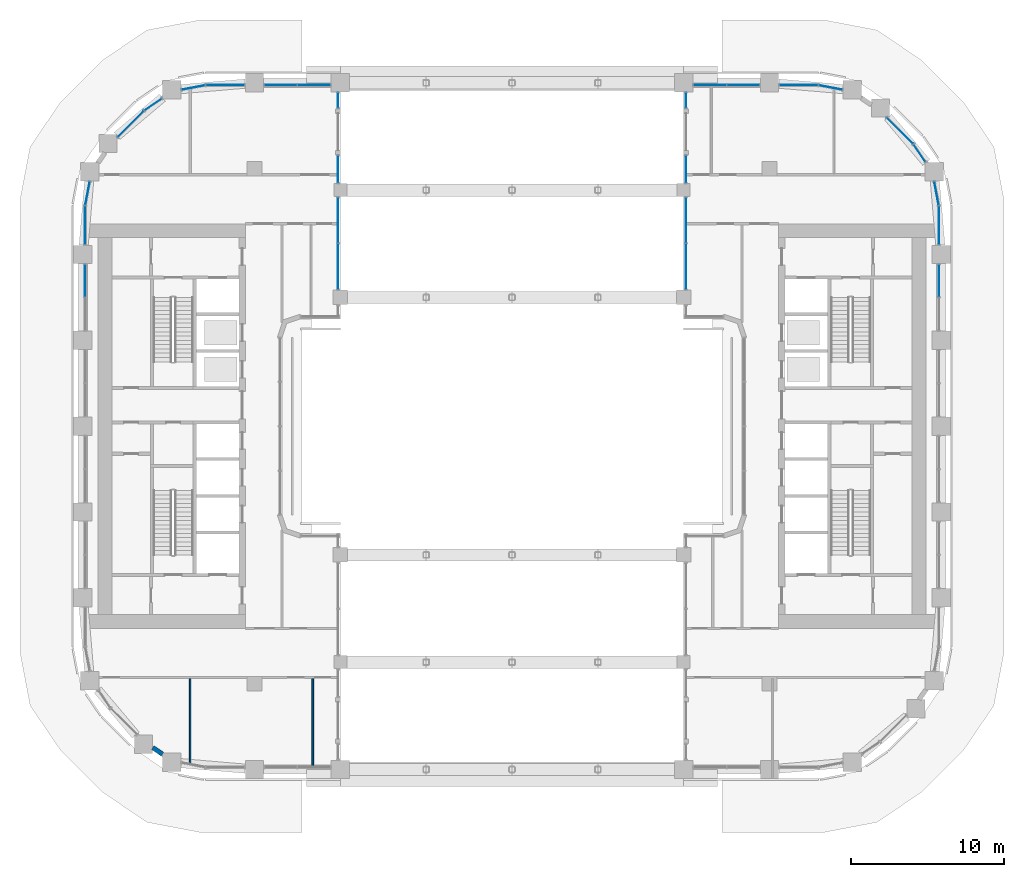
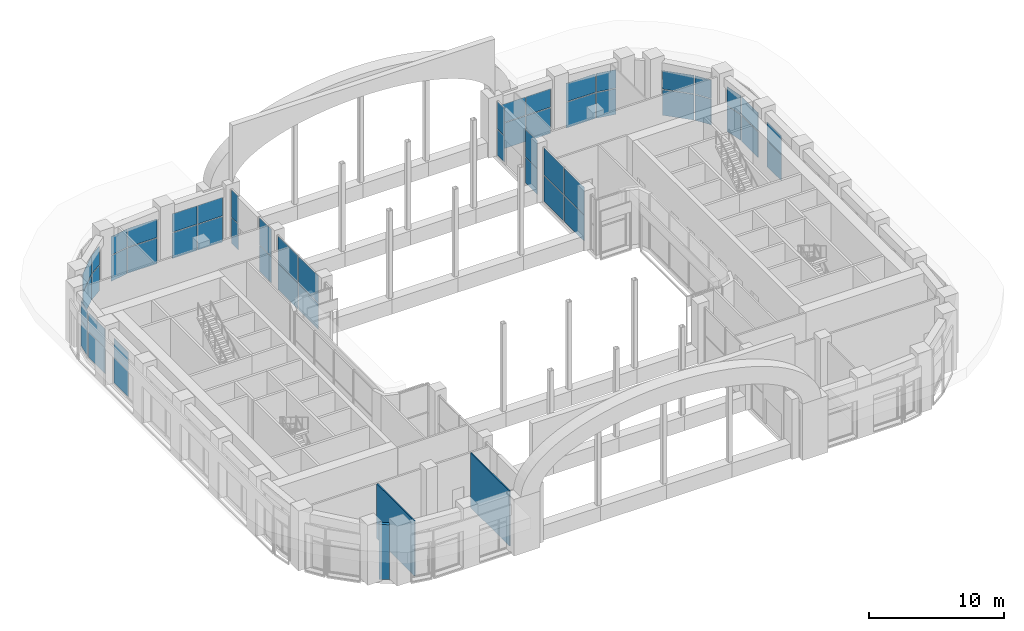
# One storey, part 14 of 28: 52 plates, 3 walls, 22 elements without a shape of their own.
"""IFC4 building model written with IfcOpenShell, lengths in metres."""

from ifc_helpers import new_model, si_unit, direction, frame, frame_2d, origin, origin_2d, place, context, subcontext, project, spatial, rectangle, extrude, material, layer, layer_set, type_object, element, aggregate, save


model = new_model("IFC4")

# Units and contexts
model_context = context("Model", 3, precision=1e-05, world=origin(), true_north=direction((0.0, 1.0)))
body_context = subcontext(model_context, "Body", "Model", "MODEL_VIEW")
ifc_project = project(units=[si_unit("LENGTHUNIT", "METRE"), si_unit("AREAUNIT", "SQUARE_METRE"), si_unit("VOLUMEUNIT", "CUBIC_METRE"), si_unit("PLANEANGLEUNIT", "RADIAN"), si_unit("MASSUNIT", "GRAM", prefix="KILO")], contexts=[model_context])

# Site, building, storey
site_placement = place(None, origin())
site = spatial("IfcSite", under=ifc_project, at=site_placement, CompositionType="ELEMENT")
building_placement = place(site_placement, origin())
building = spatial("IfcBuilding", under=site, at=building_placement, Name="Kiln Ring Residences", CompositionType="ELEMENT")
storey_placement = place(building_placement, frame((0.0, 0.0, 125.300048828125)))
storey = spatial("IfcBuildingStorey", under=building, at=storey_placement, Name="L32", CompositionType="ELEMENT", Elevation=125.300048828125)

# Curtain wall, plates
ifc_material_1 = material(Name="Aluminium and glass", Category="aluminium")
ifc_layer_1 = layer(ifc_material_1, 0.199951171875)
ifc_layer_set_1 = layer_set([ifc_layer_1], Name="CW1 CURTAIN WALL")
curtain_wall_type = type_object("IfcCurtainWallType", Name="CW1 CURTAIN WALL", PredefinedType="NOTDEFINED", material=ifc_layer_set_1)
placement = place(storey_placement, origin())
curtain_wall_1 = element("IfcCurtainWall", 1, at=placement, inside=storey, type_object=curtain_wall_type, Name="Curtain wall CW1 L32", PredefinedType="NOTDEFINED")
ifc_material_2 = material(Name="Glass, low-e laminated", Category="glass")
ifc_layer_2 = layer(ifc_material_2, 0.028076171875)
ifc_layer_set_2 = layer_set([ifc_layer_2], Name="CW1 PANEL 28")
plate_type = type_object("IfcPlateType", Name="CW1 PANEL 28", PredefinedType="CURTAIN_PANEL", material=ifc_layer_set_2)
plate_1_placement = place(storey_placement, frame((-11.35009765625, 10.4150390625, 0.059814453125), z_axis=(0.0, 0.0, 1.0), x_axis=(0.0, 1.0, 0.0)))
plate_1 = element("IfcPlate", 2, at=plate_1_placement, type_object=plate_type, Name="CW1 panel 1.1", PredefinedType="CURTAIN_PANEL", context=body_context, shape_type="SweptSolid", body=[
    extrude(rectangle(XDim=2.9599609375, YDim=0.028076171875, at=origin_2d()), origin(), (0.0, 0.0, 1.0), 2.31005859375),
])
plate_2_placement = place(storey_placement, frame((-11.35009765625, 10.4150390625, 2.429931640625), z_axis=(0.0, 0.0, 1.0), x_axis=(0.0, 1.0, 0.0)))
plate_2 = element("IfcPlate", 3, at=plate_2_placement, type_object=plate_type, Name="CW1 panel 1.2", PredefinedType="CURTAIN_PANEL", context=body_context, shape_type="SweptSolid", body=[
    extrude(rectangle(XDim=2.9599609375, YDim=0.028076171875, at=origin_2d()), origin(), (0.0, 0.0, 1.0), 2.4599609375),
])
plate_3_placement = place(storey_placement, frame((-11.35009765625, 13.43505859375, 0.059814453125), z_axis=(0.0, 0.0, 1.0), x_axis=(0.0, 1.0, 0.0)))
plate_3 = element("IfcPlate", 4, at=plate_3_placement, type_object=plate_type, Name="CW1 panel 2.1", PredefinedType="CURTAIN_PANEL", context=body_context, shape_type="SweptSolid", body=[
    extrude(rectangle(XDim=2.9599609375, YDim=0.028076171875, at=origin_2d()), origin(), (0.0, 0.0, 1.0), 2.31005859375),
])
plate_4_placement = place(storey_placement, frame((-11.35009765625, 13.43505859375, 2.429931640625), z_axis=(0.0, 0.0, 1.0), x_axis=(0.0, 1.0, 0.0)))
plate_4 = element("IfcPlate", 5, at=plate_4_placement, type_object=plate_type, Name="CW1 panel 2.2", PredefinedType="CURTAIN_PANEL", context=body_context, shape_type="SweptSolid", body=[
    extrude(rectangle(XDim=2.9599609375, YDim=0.028076171875, at=origin_2d()), origin(), (0.0, 0.0, 1.0), 2.4599609375),
])
aggregate(curtain_wall_1, [plate_1, plate_2, plate_3, plate_4])

curtain_wall_2 = element("IfcCurtainWall", 6, at=placement, inside=storey, type_object=curtain_wall_type, Name="Curtain wall CW1 L32", PredefinedType="NOTDEFINED")
plate_5_placement = place(storey_placement, frame((-11.35009765625, 16.762451171875, 0.059814453125), z_axis=(0.0, 0.0, 1.0), x_axis=(0.0, 1.0, 0.0)))
plate_5 = element("IfcPlate", 7, at=plate_5_placement, type_object=plate_type, Name="CW1 panel 1.1", PredefinedType="CURTAIN_PANEL", context=body_context, shape_type="SweptSolid", body=[
    extrude(rectangle(XDim=1.7548828125, YDim=0.028076171875, at=origin_2d()), origin(), (0.0, 0.0, 1.0), 2.31005859375),
])
plate_6_placement = place(storey_placement, frame((-11.35009765625, 16.762451171875, 2.429931640625), z_axis=(0.0, 0.0, 1.0), x_axis=(0.0, 1.0, 0.0)))
plate_6 = element("IfcPlate", 8, at=plate_6_placement, type_object=plate_type, Name="CW1 panel 1.2", PredefinedType="CURTAIN_PANEL", context=body_context, shape_type="SweptSolid", body=[
    extrude(rectangle(XDim=1.7548828125, YDim=0.028076171875, at=origin_2d()), origin(), (0.0, 0.0, 1.0), 2.4599609375),
])
aggregate(curtain_wall_2, [plate_5, plate_6])

curtain_wall_3 = element("IfcCurtainWall", 9, at=placement, inside=storey, type_object=curtain_wall_type, Name="Curtain wall CW1 L32", PredefinedType="NOTDEFINED")
plate_7_placement = place(storey_placement, frame((-11.35009765625, 21.25, 0.059814453125), z_axis=(0.0, 0.0, 1.0), x_axis=(0.0, 1.0, 0.0)))
plate_7 = element("IfcPlate", 10, at=plate_7_placement, type_object=plate_type, Name="CW1 panel 1.1", PredefinedType="CURTAIN_PANEL", context=body_context, shape_type="SweptSolid", body=[
    extrude(rectangle(XDim=0.97998046875, YDim=0.028076171875, at=origin_2d()), origin(), (0.0, 0.0, 1.0), 2.31005859375),
])
plate_8_placement = place(storey_placement, frame((-11.35009765625, 21.25, 2.429931640625), z_axis=(0.0, 0.0, 1.0), x_axis=(0.0, 1.0, 0.0)))
plate_8 = element("IfcPlate", 11, at=plate_8_placement, type_object=plate_type, Name="CW1 panel 1.2", PredefinedType="CURTAIN_PANEL", context=body_context, shape_type="SweptSolid", body=[
    extrude(rectangle(XDim=0.97998046875, YDim=0.028076171875, at=origin_2d()), origin(), (0.0, 0.0, 1.0), 2.4599609375),
])
aggregate(curtain_wall_3, [plate_7, plate_8])

curtain_wall_4 = element("IfcCurtainWall", 12, at=placement, inside=storey, type_object=curtain_wall_type, Name="Curtain wall CW1 L32", PredefinedType="NOTDEFINED")
plate_9_placement = place(storey_placement, frame((-12.9150390625, 22.25, 0.059814453125), z_axis=(0.0, 0.0, 1.0), x_axis=(-1.0, 0.0, 0.0)))
plate_9 = element("IfcPlate", 13, at=plate_9_placement, type_object=plate_type, Name="CW1 panel 1.1", PredefinedType="CURTAIN_PANEL", context=body_context, shape_type="SweptSolid", body=[
    extrude(rectangle(XDim=2.110107421875, YDim=0.028076171875, at=origin_2d()), origin(), (0.0, 0.0, 1.0), 2.31005859375),
])
plate_10_placement = place(storey_placement, frame((-12.9150390625, 22.25, 2.43017578125), z_axis=(0.0, 0.0, 1.0), x_axis=(-1.0, 0.0, 0.0)))
plate_10 = element("IfcPlate", 14, at=plate_10_placement, type_object=plate_type, Name="CW1 panel 1.2", PredefinedType="CURTAIN_PANEL", context=body_context, shape_type="SweptSolid", body=[
    extrude(rectangle(XDim=2.110107421875, YDim=0.028076171875, at=origin_2d()), origin(), (0.0, 0.0, 1.0), 1.659912109375),
])
plate_11_placement = place(storey_placement, frame((-15.0849609375, 22.25, 0.059814453125), z_axis=(0.0, 0.0, 1.0), x_axis=(-1.0, 0.0, 0.0)))
plate_11 = element("IfcPlate", 15, at=plate_11_placement, type_object=plate_type, Name="CW1 panel 2.1", PredefinedType="CURTAIN_PANEL", context=body_context, shape_type="SweptSolid", body=[
    extrude(rectangle(XDim=2.110107421875, YDim=0.028076171875, at=origin_2d()), origin(), (0.0, 0.0, 1.0), 2.31005859375),
])
plate_12_placement = place(storey_placement, frame((-15.0849609375, 22.25, 2.43017578125), z_axis=(0.0, 0.0, 1.0), x_axis=(-1.0, 0.0, 0.0)))
plate_12 = element("IfcPlate", 16, at=plate_12_placement, type_object=plate_type, Name="CW1 panel 2.2", PredefinedType="CURTAIN_PANEL", context=body_context, shape_type="SweptSolid", body=[
    extrude(rectangle(XDim=2.110107421875, YDim=0.028076171875, at=origin_2d()), origin(), (0.0, 0.0, 1.0), 1.659912109375),
])
aggregate(curtain_wall_4, [plate_9, plate_10, plate_11, plate_12])

curtain_wall_5 = element("IfcCurtainWall", 17, at=placement, inside=storey, type_object=curtain_wall_type, Name="Curtain wall CW1 L32", PredefinedType="NOTDEFINED")
plate_13_placement = place(storey_placement, frame((-18.699951171875, 22.25, 0.059814453125), z_axis=(0.0, 0.0, 1.0), x_axis=(-1.0, 0.0, 0.0)))
plate_13 = element("IfcPlate", 18, at=plate_13_placement, type_object=plate_type, Name="CW1 panel 1.1", PredefinedType="CURTAIN_PANEL", context=body_context, shape_type="SweptSolid", body=[
    extrude(rectangle(XDim=2.47998046875, YDim=0.028076171875, at=origin_2d()), origin(), (0.0, 0.0, 1.0), 2.31005859375),
])
plate_14_placement = place(storey_placement, frame((-18.699951171875, 22.25, 2.43017578125), z_axis=(0.0, 0.0, 1.0), x_axis=(-1.0, 0.0, 0.0)))
plate_14 = element("IfcPlate", 19, at=plate_14_placement, type_object=plate_type, Name="CW1 panel 1.2", PredefinedType="CURTAIN_PANEL", context=body_context, shape_type="SweptSolid", body=[
    extrude(rectangle(XDim=2.47998046875, YDim=0.028076171875, at=origin_2d()), origin(), (0.0, 0.0, 1.0), 1.659912109375),
])
aggregate(curtain_wall_5, [plate_13, plate_14])

curtain_wall_6 = element("IfcCurtainWall", 20, at=placement, inside=storey, type_object=curtain_wall_type, Name="Curtain wall CW1 L32", PredefinedType="NOTDEFINED")
plate_15_placement = place(storey_placement, frame((-20.785400390625, 22.097412109375, 0.059814453125), z_axis=(0.0, 0.0, 1.0), x_axis=(-0.982290257803, -0.187365550262, 0.0)))
plate_15 = element("IfcPlate", 21, at=plate_15_placement, type_object=plate_type, Name="CW1 panel 1.1", PredefinedType="CURTAIN_PANEL", context=body_context, shape_type="SweptSolid", body=[
    extrude(rectangle(XDim=1.5361328125, YDim=0.028076171875, at=origin_2d()), origin(), (0.0, 0.0, 1.0), 2.31005859375),
])
plate_16_placement = place(storey_placement, frame((-20.785400390625, 22.097412109375, 2.43017578125), z_axis=(0.0, 0.0, 1.0), x_axis=(-0.982290257803, -0.187365550262, 0.0)))
plate_16 = element("IfcPlate", 22, at=plate_16_placement, type_object=plate_type, Name="CW1 panel 1.2", PredefinedType="CURTAIN_PANEL", context=body_context, shape_type="SweptSolid", body=[
    extrude(rectangle(XDim=1.5361328125, YDim=0.028076171875, at=origin_2d()), origin(), (0.0, 0.0, 1.0), 1.659912109375),
])
aggregate(curtain_wall_6, [plate_15, plate_16])

curtain_wall_7 = element("IfcCurtainWall", 23, at=placement, inside=storey, type_object=curtain_wall_type, Name="Curtain wall CW1 L32", PredefinedType="NOTDEFINED")
plate_17_placement = place(storey_placement, frame((-23.41064453125, 20.988037109375, 0.059814453125), z_axis=(0.0, 0.0, 1.0), x_axis=(-0.827071553419, -0.562096651409, 0.0)))
plate_17 = element("IfcPlate", 24, at=plate_17_placement, type_object=plate_type, Name="CW1 panel 1.1", PredefinedType="CURTAIN_PANEL", context=body_context, shape_type="SweptSolid", body=[
    extrude(rectangle(XDim=1.335693359375, YDim=0.028076171875, at=origin_2d()), origin(), (0.0, 0.0, 1.0), 2.31005859375),
])
plate_18_placement = place(storey_placement, frame((-23.41064453125, 20.988037109375, 2.43017578125), z_axis=(0.0, 0.0, 1.0), x_axis=(-0.827071553419, -0.562096651409, 0.0)))
plate_18 = element("IfcPlate", 25, at=plate_18_placement, type_object=plate_type, Name="CW1 panel 1.2", PredefinedType="CURTAIN_PANEL", context=body_context, shape_type="SweptSolid", body=[
    extrude(rectangle(XDim=1.335693359375, YDim=0.028076171875, at=origin_2d()), origin(), (0.0, 0.0, 1.0), 1.659912109375),
])
aggregate(curtain_wall_7, [plate_17, plate_18])

curtain_wall_8 = element("IfcCurtainWall", 26, at=placement, inside=storey, type_object=curtain_wall_type, Name="Curtain wall CW1 L32", PredefinedType="NOTDEFINED")
plate_19_placement = place(storey_placement, frame((-24.87548828125, 19.71240234375, 0.059814453125), z_axis=(0.0, 0.0, 1.0), x_axis=(-0.707106781187, -0.707106781187, 0.0)))
plate_19 = element("IfcPlate", 27, at=plate_19_placement, type_object=plate_type, Name="CW1 panel 1.1", PredefinedType="CURTAIN_PANEL", context=body_context, shape_type="SweptSolid", body=[
    extrude(rectangle(XDim=2.381591796875, YDim=0.028076171875, at=origin_2d()), origin(), (0.0, 0.0, 1.0), 2.31005859375),
])
plate_20_placement = place(storey_placement, frame((-24.87548828125, 19.71240234375, 2.43017578125), z_axis=(0.0, 0.0, 1.0), x_axis=(-0.707106781187, -0.707106781187, 0.0)))
plate_20 = element("IfcPlate", 28, at=plate_20_placement, type_object=plate_type, Name="CW1 panel 1.2", PredefinedType="CURTAIN_PANEL", context=body_context, shape_type="SweptSolid", body=[
    extrude(rectangle(XDim=2.381591796875, YDim=0.028076171875, at=origin_2d()), origin(), (0.0, 0.0, 1.0), 1.659912109375),
])
aggregate(curtain_wall_8, [plate_19, plate_20])

curtain_wall_9 = element("IfcCurtainWall", 29, at=placement, inside=storey, type_object=curtain_wall_type, Name="Curtain wall CW1 L32", PredefinedType="NOTDEFINED")
plate_21_placement = place(storey_placement, frame((-27.697509765625, 15.185302734375, 0.059814453125), z_axis=(0.0, 0.0, 1.0), x_axis=(-0.187365550262, -0.982290257803, 0.0)))
plate_21 = element("IfcPlate", 30, at=plate_21_placement, type_object=plate_type, Name="CW1 panel 1.1", PredefinedType="CURTAIN_PANEL", context=body_context, shape_type="SweptSolid", body=[
    extrude(rectangle(XDim=1.5361328125, YDim=0.028076171875, at=origin_2d()), origin(), (0.0, 0.0, 1.0), 2.31005859375),
])
plate_22_placement = place(storey_placement, frame((-27.697509765625, 15.185302734375, 2.43017578125), z_axis=(0.0, 0.0, 1.0), x_axis=(-0.187365550262, -0.982290257803, 0.0)))
plate_22 = element("IfcPlate", 31, at=plate_22_placement, type_object=plate_type, Name="CW1 panel 1.2", PredefinedType="CURTAIN_PANEL", context=body_context, shape_type="SweptSolid", body=[
    extrude(rectangle(XDim=1.5361328125, YDim=0.028076171875, at=origin_2d()), origin(), (0.0, 0.0, 1.0), 1.659912109375),
])
aggregate(curtain_wall_9, [plate_21, plate_22])

curtain_wall_10 = element("IfcCurtainWall", 32, at=placement, inside=storey, type_object=curtain_wall_type, Name="Curtain wall CW1 L32", PredefinedType="NOTDEFINED")
plate_23_placement = place(storey_placement, frame((-27.85009765625, 13.10009765625, 0.059814453125), z_axis=(0.0, 0.0, 1.0), x_axis=(0.0, -1.0, 0.0)))
plate_23 = element("IfcPlate", 33, at=plate_23_placement, type_object=plate_type, Name="CW1 panel 1.1", PredefinedType="CURTAIN_PANEL", context=body_context, shape_type="SweptSolid", body=[
    extrude(rectangle(XDim=2.47998046875, YDim=0.028076171875, at=origin_2d()), origin(), (0.0, 0.0, 1.0), 2.31005859375),
])
plate_24_placement = place(storey_placement, frame((-27.85009765625, 13.10009765625, 2.43017578125), z_axis=(0.0, 0.0, 1.0), x_axis=(0.0, -1.0, 0.0)))
plate_24 = element("IfcPlate", 34, at=plate_24_placement, type_object=plate_type, Name="CW1 panel 1.2", PredefinedType="CURTAIN_PANEL", context=body_context, shape_type="SweptSolid", body=[
    extrude(rectangle(XDim=2.47998046875, YDim=0.028076171875, at=origin_2d()), origin(), (0.0, 0.0, 1.0), 1.659912109375),
])
aggregate(curtain_wall_10, [plate_23, plate_24])

curtain_wall_11 = element("IfcCurtainWall", 35, at=placement, inside=storey, type_object=curtain_wall_type, Name="Curtain wall CW1 L32", PredefinedType="NOTDEFINED")
plate_25_placement = place(storey_placement, frame((-27.85009765625, 9.485107421875, 0.059814453125), z_axis=(0.0, 0.0, 1.0), x_axis=(0.0, -1.0, 0.0)))
plate_25 = element("IfcPlate", 36, at=plate_25_placement, type_object=plate_type, Name="CW1 panel 1.1", PredefinedType="CURTAIN_PANEL", context=body_context, shape_type="SweptSolid", body=[
    extrude(rectangle(XDim=2.110107421875, YDim=0.028076171875, at=origin_2d()), origin(), (0.0, 0.0, 1.0), 2.31005859375),
])
plate_26_placement = place(storey_placement, frame((-27.85009765625, 9.485107421875, 2.43017578125), z_axis=(0.0, 0.0, 1.0), x_axis=(0.0, -1.0, 0.0)))
plate_26 = element("IfcPlate", 37, at=plate_26_placement, type_object=plate_type, Name="CW1 panel 1.2", PredefinedType="CURTAIN_PANEL", context=body_context, shape_type="SweptSolid", body=[
    extrude(rectangle(XDim=2.110107421875, YDim=0.028076171875, at=origin_2d()), origin(), (0.0, 0.0, 1.0), 1.659912109375),
])
aggregate(curtain_wall_11, [plate_25, plate_26])

curtain_wall_12 = element("IfcCurtainWall", 38, at=placement, inside=storey, type_object=curtain_wall_type, Name="Curtain wall CW1 L32", PredefinedType="NOTDEFINED")
plate_27_placement = place(storey_placement, frame((27.85009765625, 9.485107421875, 0.059814453125), z_axis=(0.0, 0.0, 1.0), x_axis=(0.0, 1.0, 0.0)))
plate_27 = element("IfcPlate", 39, at=plate_27_placement, type_object=plate_type, Name="CW1 panel 2.1", PredefinedType="CURTAIN_PANEL", context=body_context, shape_type="SweptSolid", body=[
    extrude(rectangle(XDim=2.110107421875, YDim=0.028076171875, at=origin_2d()), origin(), (0.0, 0.0, 1.0), 2.31005859375),
])
plate_28_placement = place(storey_placement, frame((27.85009765625, 9.485107421875, 2.43017578125), z_axis=(0.0, 0.0, 1.0), x_axis=(0.0, 1.0, 0.0)))
plate_28 = element("IfcPlate", 40, at=plate_28_placement, type_object=plate_type, Name="CW1 panel 2.2", PredefinedType="CURTAIN_PANEL", context=body_context, shape_type="SweptSolid", body=[
    extrude(rectangle(XDim=2.110107421875, YDim=0.028076171875, at=origin_2d()), origin(), (0.0, 0.0, 1.0), 1.659912109375),
])
aggregate(curtain_wall_12, [plate_27, plate_28])

curtain_wall_13 = element("IfcCurtainWall", 41, at=placement, inside=storey, type_object=curtain_wall_type, Name="Curtain wall CW1 L32", PredefinedType="NOTDEFINED")
plate_29_placement = place(storey_placement, frame((27.85009765625, 13.10009765625, 0.059814453125), z_axis=(0.0, 0.0, 1.0), x_axis=(0.0, 1.0, 0.0)))
plate_29 = element("IfcPlate", 42, at=plate_29_placement, type_object=plate_type, Name="CW1 panel 1.1", PredefinedType="CURTAIN_PANEL", context=body_context, shape_type="SweptSolid", body=[
    extrude(rectangle(XDim=2.47998046875, YDim=0.028076171875, at=origin_2d()), origin(), (0.0, 0.0, 1.0), 2.31005859375),
])
plate_30_placement = place(storey_placement, frame((27.85009765625, 13.10009765625, 2.43017578125), z_axis=(0.0, 0.0, 1.0), x_axis=(0.0, 1.0, 0.0)))
plate_30 = element("IfcPlate", 43, at=plate_30_placement, type_object=plate_type, Name="CW1 panel 1.2", PredefinedType="CURTAIN_PANEL", context=body_context, shape_type="SweptSolid", body=[
    extrude(rectangle(XDim=2.47998046875, YDim=0.028076171875, at=origin_2d()), origin(), (0.0, 0.0, 1.0), 1.659912109375),
])
aggregate(curtain_wall_13, [plate_29, plate_30])

curtain_wall_14 = element("IfcCurtainWall", 44, at=placement, inside=storey, type_object=curtain_wall_type, Name="Curtain wall CW1 L32", PredefinedType="NOTDEFINED")
plate_31_placement = place(storey_placement, frame((27.697509765625, 15.185302734375, 0.059814453125), z_axis=(0.0, 0.0, 1.0), x_axis=(-0.187365550262, 0.982290257803, 0.0)))
plate_31 = element("IfcPlate", 45, at=plate_31_placement, type_object=plate_type, Name="CW1 panel 1.1", PredefinedType="CURTAIN_PANEL", context=body_context, shape_type="SweptSolid", body=[
    extrude(rectangle(XDim=1.5361328125, YDim=0.028076171875, at=origin_2d()), origin(), (0.0, 0.0, 1.0), 2.31005859375),
])
plate_32_placement = place(storey_placement, frame((27.697509765625, 15.185302734375, 2.43017578125), z_axis=(0.0, 0.0, 1.0), x_axis=(-0.187365550262, 0.982290257803, 0.0)))
plate_32 = element("IfcPlate", 46, at=plate_32_placement, type_object=plate_type, Name="CW1 panel 1.2", PredefinedType="CURTAIN_PANEL", context=body_context, shape_type="SweptSolid", body=[
    extrude(rectangle(XDim=1.5361328125, YDim=0.028076171875, at=origin_2d()), origin(), (0.0, 0.0, 1.0), 1.659912109375),
])
aggregate(curtain_wall_14, [plate_31, plate_32])

curtain_wall_15 = element("IfcCurtainWall", 47, at=placement, inside=storey, type_object=curtain_wall_type, Name="Curtain wall CW1 L32", PredefinedType="NOTDEFINED")
plate_33_placement = place(storey_placement, frame((26.588134765625, 17.810791015625, 0.059814453125), z_axis=(0.0, 0.0, 1.0), x_axis=(-0.562096651409, 0.827071553419, 0.0)))
plate_33 = element("IfcPlate", 48, at=plate_33_placement, type_object=plate_type, Name="CW1 panel 1.1", PredefinedType="CURTAIN_PANEL", context=body_context, shape_type="SweptSolid", body=[
    extrude(rectangle(XDim=1.335693359375, YDim=0.028076171875, at=origin_2d()), origin(), (0.0, 0.0, 1.0), 2.31005859375),
])
plate_34_placement = place(storey_placement, frame((26.588134765625, 17.810791015625, 2.43017578125), z_axis=(0.0, 0.0, 1.0), x_axis=(-0.562096651409, 0.827071553419, 0.0)))
plate_34 = element("IfcPlate", 49, at=plate_34_placement, type_object=plate_type, Name="CW1 panel 1.2", PredefinedType="CURTAIN_PANEL", context=body_context, shape_type="SweptSolid", body=[
    extrude(rectangle(XDim=1.335693359375, YDim=0.028076171875, at=origin_2d()), origin(), (0.0, 0.0, 1.0), 1.659912109375),
])
aggregate(curtain_wall_15, [plate_33, plate_34])

curtain_wall_16 = element("IfcCurtainWall", 50, at=placement, inside=storey, type_object=curtain_wall_type, Name="Curtain wall CW1 L32", PredefinedType="NOTDEFINED")
plate_35_placement = place(storey_placement, frame((25.3125, 19.275390625, 0.059814453125), z_axis=(0.0, 0.0, 1.0), x_axis=(-0.707106781187, 0.707106781187, 0.0)))
plate_35 = element("IfcPlate", 51, at=plate_35_placement, type_object=plate_type, Name="CW1 panel 1.1", PredefinedType="CURTAIN_PANEL", context=body_context, shape_type="SweptSolid", body=[
    extrude(rectangle(XDim=2.381591796875, YDim=0.028076171875, at=origin_2d()), origin(), (0.0, 0.0, 1.0), 2.31005859375),
])
plate_36_placement = place(storey_placement, frame((25.3125, 19.275390625, 2.43017578125), z_axis=(0.0, 0.0, 1.0), x_axis=(-0.707106781187, 0.707106781187, 0.0)))
plate_36 = element("IfcPlate", 52, at=plate_36_placement, type_object=plate_type, Name="CW1 panel 1.2", PredefinedType="CURTAIN_PANEL", context=body_context, shape_type="SweptSolid", body=[
    extrude(rectangle(XDim=2.381591796875, YDim=0.028076171875, at=origin_2d()), origin(), (0.0, 0.0, 1.0), 1.659912109375),
])
aggregate(curtain_wall_16, [plate_35, plate_36])

curtain_wall_17 = element("IfcCurtainWall", 53, at=placement, inside=storey, type_object=curtain_wall_type, Name="Curtain wall CW1 L32", PredefinedType="NOTDEFINED")
plate_37_placement = place(storey_placement, frame((20.785400390625, 22.097412109375, 0.059814453125), z_axis=(0.0, 0.0, 1.0), x_axis=(-0.982290257803, 0.187365550262, 0.0)))
plate_37 = element("IfcPlate", 54, at=plate_37_placement, type_object=plate_type, Name="CW1 panel 1.1", PredefinedType="CURTAIN_PANEL", context=body_context, shape_type="SweptSolid", body=[
    extrude(rectangle(XDim=1.5361328125, YDim=0.028076171875, at=origin_2d()), origin(), (0.0, 0.0, 1.0), 2.31005859375),
])
plate_38_placement = place(storey_placement, frame((20.785400390625, 22.097412109375, 2.43017578125), z_axis=(0.0, 0.0, 1.0), x_axis=(-0.982290257803, 0.187365550262, 0.0)))
plate_38 = element("IfcPlate", 55, at=plate_38_placement, type_object=plate_type, Name="CW1 panel 1.2", PredefinedType="CURTAIN_PANEL", context=body_context, shape_type="SweptSolid", body=[
    extrude(rectangle(XDim=1.5361328125, YDim=0.028076171875, at=origin_2d()), origin(), (0.0, 0.0, 1.0), 1.659912109375),
])
aggregate(curtain_wall_17, [plate_37, plate_38])

curtain_wall_18 = element("IfcCurtainWall", 56, at=placement, inside=storey, type_object=curtain_wall_type, Name="Curtain wall CW1 L32", PredefinedType="NOTDEFINED")
plate_39_placement = place(storey_placement, frame((18.699951171875, 22.25, 0.059814453125), z_axis=(0.0, 0.0, 1.0), x_axis=(-1.0, 0.0, 0.0)))
plate_39 = element("IfcPlate", 57, at=plate_39_placement, type_object=plate_type, Name="CW1 panel 1.1", PredefinedType="CURTAIN_PANEL", context=body_context, shape_type="SweptSolid", body=[
    extrude(rectangle(XDim=2.47998046875, YDim=0.028076171875, at=origin_2d()), origin(), (0.0, 0.0, 1.0), 2.31005859375),
])
plate_40_placement = place(storey_placement, frame((18.699951171875, 22.25, 2.43017578125), z_axis=(0.0, 0.0, 1.0), x_axis=(-1.0, 0.0, 0.0)))
plate_40 = element("IfcPlate", 58, at=plate_40_placement, type_object=plate_type, Name="CW1 panel 1.2", PredefinedType="CURTAIN_PANEL", context=body_context, shape_type="SweptSolid", body=[
    extrude(rectangle(XDim=2.47998046875, YDim=0.028076171875, at=origin_2d()), origin(), (0.0, 0.0, 1.0), 1.659912109375),
])
aggregate(curtain_wall_18, [plate_39, plate_40])

curtain_wall_19 = element("IfcCurtainWall", 59, at=placement, inside=storey, type_object=curtain_wall_type, Name="Curtain wall CW1 L32", PredefinedType="NOTDEFINED")
plate_41_placement = place(storey_placement, frame((15.0849609375, 22.25, 0.059814453125), z_axis=(0.0, 0.0, 1.0), x_axis=(-1.0, 0.0, 0.0)))
plate_41 = element("IfcPlate", 60, at=plate_41_placement, type_object=plate_type, Name="CW1 panel 1.1", PredefinedType="CURTAIN_PANEL", context=body_context, shape_type="SweptSolid", body=[
    extrude(rectangle(XDim=2.110107421875, YDim=0.028076171875, at=origin_2d()), origin(), (0.0, 0.0, 1.0), 2.31005859375),
])
plate_42_placement = place(storey_placement, frame((15.0849609375, 22.25, 2.43017578125), z_axis=(0.0, 0.0, 1.0), x_axis=(-1.0, 0.0, 0.0)))
plate_42 = element("IfcPlate", 61, at=plate_42_placement, type_object=plate_type, Name="CW1 panel 1.2", PredefinedType="CURTAIN_PANEL", context=body_context, shape_type="SweptSolid", body=[
    extrude(rectangle(XDim=2.110107421875, YDim=0.028076171875, at=origin_2d()), origin(), (0.0, 0.0, 1.0), 1.659912109375),
])
plate_43_placement = place(storey_placement, frame((12.9150390625, 22.25, 0.059814453125), z_axis=(0.0, 0.0, 1.0), x_axis=(-1.0, 0.0, 0.0)))
plate_43 = element("IfcPlate", 62, at=plate_43_placement, type_object=plate_type, Name="CW1 panel 2.1", PredefinedType="CURTAIN_PANEL", context=body_context, shape_type="SweptSolid", body=[
    extrude(rectangle(XDim=2.110107421875, YDim=0.028076171875, at=origin_2d()), origin(), (0.0, 0.0, 1.0), 2.31005859375),
])
plate_44_placement = place(storey_placement, frame((12.9150390625, 22.25, 2.43017578125), z_axis=(0.0, 0.0, 1.0), x_axis=(-1.0, 0.0, 0.0)))
plate_44 = element("IfcPlate", 63, at=plate_44_placement, type_object=plate_type, Name="CW1 panel 2.2", PredefinedType="CURTAIN_PANEL", context=body_context, shape_type="SweptSolid", body=[
    extrude(rectangle(XDim=2.110107421875, YDim=0.028076171875, at=origin_2d()), origin(), (0.0, 0.0, 1.0), 1.659912109375),
])
aggregate(curtain_wall_19, [plate_41, plate_42, plate_43, plate_44])

curtain_wall_20 = element("IfcCurtainWall", 64, at=placement, inside=storey, type_object=curtain_wall_type, Name="Curtain wall CW1 L32", PredefinedType="NOTDEFINED")
plate_45_placement = place(storey_placement, frame((11.35009765625, 21.25, 0.059814453125), z_axis=(0.0, 0.0, 1.0), x_axis=(0.0, -1.0, 0.0)))
plate_45 = element("IfcPlate", 65, at=plate_45_placement, type_object=plate_type, Name="CW1 panel 1.1", PredefinedType="CURTAIN_PANEL", context=body_context, shape_type="SweptSolid", body=[
    extrude(rectangle(XDim=0.97998046875, YDim=0.028076171875, at=origin_2d()), origin(), (0.0, 0.0, 1.0), 2.31005859375),
])
plate_46_placement = place(storey_placement, frame((11.35009765625, 21.25, 2.429931640625), z_axis=(0.0, 0.0, 1.0), x_axis=(0.0, -1.0, 0.0)))
plate_46 = element("IfcPlate", 66, at=plate_46_placement, type_object=plate_type, Name="CW1 panel 1.2", PredefinedType="CURTAIN_PANEL", context=body_context, shape_type="SweptSolid", body=[
    extrude(rectangle(XDim=0.97998046875, YDim=0.028076171875, at=origin_2d()), origin(), (0.0, 0.0, 1.0), 2.4599609375),
])
aggregate(curtain_wall_20, [plate_45, plate_46])

curtain_wall_21 = element("IfcCurtainWall", 67, at=placement, inside=storey, type_object=curtain_wall_type, Name="Curtain wall CW1 L32", PredefinedType="NOTDEFINED")
plate_47_placement = place(storey_placement, frame((11.35009765625, 16.762451171875, 0.059814453125), z_axis=(0.0, 0.0, 1.0), x_axis=(0.0, -1.0, 0.0)))
plate_47 = element("IfcPlate", 68, at=plate_47_placement, type_object=plate_type, Name="CW1 panel 1.1", PredefinedType="CURTAIN_PANEL", context=body_context, shape_type="SweptSolid", body=[
    extrude(rectangle(XDim=1.7548828125, YDim=0.028076171875, at=origin_2d()), origin(), (0.0, 0.0, 1.0), 2.31005859375),
])
plate_48_placement = place(storey_placement, frame((11.35009765625, 16.762451171875, 2.429931640625), z_axis=(0.0, 0.0, 1.0), x_axis=(0.0, -1.0, 0.0)))
plate_48 = element("IfcPlate", 69, at=plate_48_placement, type_object=plate_type, Name="CW1 panel 1.2", PredefinedType="CURTAIN_PANEL", context=body_context, shape_type="SweptSolid", body=[
    extrude(rectangle(XDim=1.7548828125, YDim=0.028076171875, at=origin_2d()), origin(), (0.0, 0.0, 1.0), 2.4599609375),
])
aggregate(curtain_wall_21, [plate_47, plate_48])

curtain_wall_22 = element("IfcCurtainWall", 70, at=placement, inside=storey, type_object=curtain_wall_type, Name="Curtain wall CW1 L32", PredefinedType="NOTDEFINED")
plate_49_placement = place(storey_placement, frame((11.35009765625, 13.43505859375, 0.059814453125), z_axis=(0.0, 0.0, 1.0), x_axis=(0.0, -1.0, 0.0)))
plate_49 = element("IfcPlate", 71, at=plate_49_placement, type_object=plate_type, Name="CW1 panel 1.1", PredefinedType="CURTAIN_PANEL", context=body_context, shape_type="SweptSolid", body=[
    extrude(rectangle(XDim=2.9599609375, YDim=0.028076171875, at=origin_2d()), origin(), (0.0, 0.0, 1.0), 2.31005859375),
])
plate_50_placement = place(storey_placement, frame((11.35009765625, 13.43505859375, 2.429931640625), z_axis=(0.0, 0.0, 1.0), x_axis=(0.0, -1.0, 0.0)))
plate_50 = element("IfcPlate", 72, at=plate_50_placement, type_object=plate_type, Name="CW1 panel 1.2", PredefinedType="CURTAIN_PANEL", context=body_context, shape_type="SweptSolid", body=[
    extrude(rectangle(XDim=2.9599609375, YDim=0.028076171875, at=origin_2d()), origin(), (0.0, 0.0, 1.0), 2.4599609375),
])
plate_51_placement = place(storey_placement, frame((11.35009765625, 10.4150390625, 0.059814453125), z_axis=(0.0, 0.0, 1.0), x_axis=(0.0, -1.0, 0.0)))
plate_51 = element("IfcPlate", 73, at=plate_51_placement, type_object=plate_type, Name="CW1 panel 2.1", PredefinedType="CURTAIN_PANEL", context=body_context, shape_type="SweptSolid", body=[
    extrude(rectangle(XDim=2.9599609375, YDim=0.028076171875, at=origin_2d()), origin(), (0.0, 0.0, 1.0), 2.31005859375),
])
plate_52_placement = place(storey_placement, frame((11.35009765625, 10.4150390625, 2.429931640625), z_axis=(0.0, 0.0, 1.0), x_axis=(0.0, -1.0, 0.0)))
plate_52 = element("IfcPlate", 74, at=plate_52_placement, type_object=plate_type, Name="CW1 panel 2.2", PredefinedType="CURTAIN_PANEL", context=body_context, shape_type="SweptSolid", body=[
    extrude(rectangle(XDim=2.9599609375, YDim=0.028076171875, at=origin_2d()), origin(), (0.0, 0.0, 1.0), 2.4599609375),
])
aggregate(curtain_wall_22, [plate_49, plate_50, plate_51, plate_52])

# Walls
ifc_material_3 = material(Name="Brick masonry, dark clay brick", Category="masonry")
ifc_layer_3 = layer(ifc_material_3, 0.300048828125)
ifc_layer_set_3 = layer_set([ifc_layer_3], Name="EW-300 BRICK WALL")
wall_type_1 = type_object("IfcWallType", Name="EW-300 BRICK WALL", PredefinedType="SOLIDWALL", material=ifc_layer_set_3)
wall_1_placement = place(storey_placement, frame((-23.440185546875, -20.968017578125, 0.0), z_axis=(0.0, 0.0, 1.0), x_axis=(0.827098912605, -0.562056392872, 0.0)))
element("IfcWall", 75, at=wall_1_placement, inside=storey, type_object=wall_type_1, Name="Facade wall L32 5", PredefinedType="SOLIDWALL", context=body_context, shape_type="SweptSolid", body=[
    extrude(rectangle(XDim=0.763671875, YDim=0.300048828125, at=frame_2d((0.3818359375, 0.0))), origin(), (0.0, 0.0, 1.0), 4.949951171875),
])
ifc_material_4 = material(Name="Gypsum board on steel studs", Category="steel")
ifc_layer_4 = layer(ifc_material_4, 0.10009765625)
ifc_layer_set_4 = layer_set([ifc_layer_4], Name="PARTITION-100")
wall_type_2 = type_object("IfcWallType", Name="PARTITION-100", PredefinedType="PARTITIONING", material=ifc_layer_set_4)
wall_2_placement = place(storey_placement, frame((-21.0, -22.022216796875, 0.0), z_axis=(0.0, 0.0, 1.0), x_axis=(0.0, 1.0, 0.0)))
element("IfcWall", 76, at=wall_2_placement, inside=storey, type_object=wall_type_2, Name="Partition 008", PredefinedType="PARTITIONING", context=body_context, shape_type="SweptSolid", body=[
    extrude(rectangle(XDim=5.547119140625, YDim=0.10009765625, at=frame_2d((2.7734375, 0.0))), origin(), (0.0, 0.0, 1.0), 4.949951171875),
])
wall_3_placement = place(storey_placement, frame((-13.0, -22.216064453125, 0.0), z_axis=(0.0, 0.0, 1.0), x_axis=(0.0, 1.0, 0.0)))
element("IfcWall", 77, at=wall_3_placement, inside=storey, type_object=wall_type_2, Name="Partition 013", PredefinedType="PARTITIONING", context=body_context, shape_type="SweptSolid", body=[
    extrude(rectangle(XDim=5.740966796875, YDim=0.10009765625, at=frame_2d((2.87060546875, 0.0))), origin(), (0.0, 0.0, 1.0), 4.949951171875),
])

save(model, "model.ifc")
